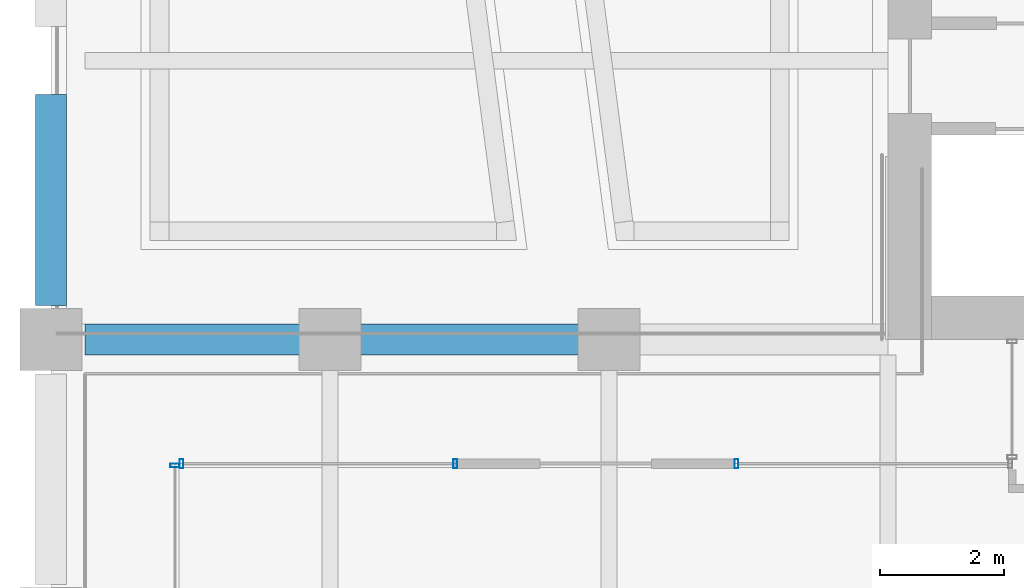
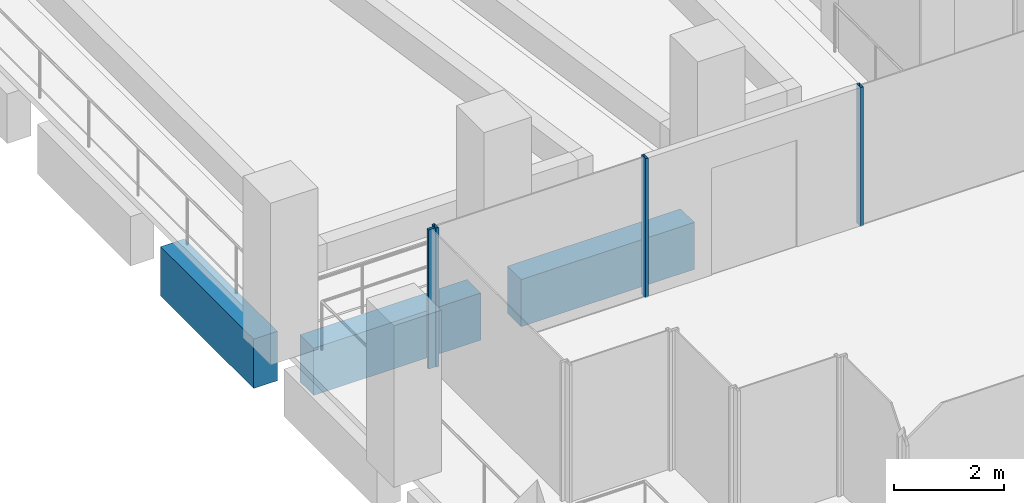
# One storey, part 5 of 52: 4 members, 3 beams, 3 elements without a shape of their own.
"""IFC4 building model written with IfcOpenShell, lengths in metres."""

from ifc_helpers import new_model, si_unit, direction, frame, origin, origin_2d, place, context, subcontext, project, spatial, rectangle, hollow_rectangle, extrude, material, material_profile, profile_set, type_object, element, aggregate, save


model = new_model("IFC4")

# Units and contexts
model_context = context("Model", 3, precision=1e-05, world=origin(), true_north=direction((0.0, 1.0)))
body_context = subcontext(model_context, "Body", "Model", "MODEL_VIEW")
ifc_project = project(units=[si_unit("LENGTHUNIT", "METRE"), si_unit("AREAUNIT", "SQUARE_METRE"), si_unit("VOLUMEUNIT", "CUBIC_METRE"), si_unit("PLANEANGLEUNIT", "RADIAN"), si_unit("MASSUNIT", "GRAM", prefix="KILO")], contexts=[model_context])

# Site, building, storey
site_placement = place(None, origin())
site = spatial("IfcSite", under=ifc_project, at=site_placement, CompositionType="ELEMENT")
building_placement = place(site_placement, origin())
building = spatial("IfcBuilding", under=site, at=building_placement, Name="Altepetl Exchange Towers", CompositionType="ELEMENT")
storey_placement = place(building_placement, frame((0.0, 0.0, 92.0)))
storey = spatial("IfcBuildingStorey", under=building, at=storey_placement, Name="L22", CompositionType="ELEMENT", Elevation=92.0)

# Curtain wall, member
ifc_material_1 = material(Name="Aluminium 6063-T6 glazing", Category="aluminium")
curtain_wall_type = type_object("IfcCurtainWallType", Name="Loggia glazing system", PredefinedType="NOTDEFINED", material=ifc_material_1)
curtain_wall_1_placement = place(storey_placement, origin())
curtain_wall_1 = element("IfcCurtainWall", 1, at=curtain_wall_1_placement, inside=storey, type_object=curtain_wall_type, Name="CW1 run", PredefinedType="NOTDEFINED")
ifc_material_2 = material(Name="Aluminium 6063-T6", Category="aluminium")
ifc_material_profile_1 = material_profile(ifc_material_2, hollow_rectangle(XDim=0.06005859375, YDim=0.14990234375, WallThickness=0.0029296875, at=origin_2d()), Name="Mullion 60x150 aluminium")
ifc_profile_set_1 = profile_set([ifc_material_profile_1], Name="Aluminium 6063-T6")
member_type = type_object("IfcMemberType", Name="Mullion 60x150 aluminium", PredefinedType="MULLION", material=ifc_profile_set_1)
member_1_placement = place(storey_placement, frame((38.054931640625, 38.5, 0.0), z_axis=(0.0, 0.0, 1.0), x_axis=(-1.0, 0.0, 0.0)))
member_1 = element("IfcMember", 2, at=member_1_placement, type_object=member_type, Name="MU1 mullion", PredefinedType="MULLION", context=body_context, shape_type="SweptSolid", body=[
    extrude(hollow_rectangle(XDim=0.06005859375, YDim=0.14990234375, WallThickness=0.0029296875, at=origin_2d()), origin(), (0.0, 0.0, 1.0), 3.10009765625),
])
aggregate(curtain_wall_1, [member_1])

# Curtain wall, members
curtain_wall_2_placement = place(storey_placement, origin())
curtain_wall_2 = element("IfcCurtainWall", 3, at=curtain_wall_2_placement, inside=storey, type_object=curtain_wall_type, Name="CW1 run", PredefinedType="NOTDEFINED")
member_2_placement = place(storey_placement, frame((33.52001953125, 38.5, 0.0), z_axis=(0.0, 0.0, 1.0), x_axis=(-1.0, 0.0, 0.0)))
member_2 = element("IfcMember", 4, at=member_2_placement, type_object=member_type, Name="MU1 mullion", PredefinedType="MULLION", context=body_context, shape_type="SweptSolid", body=[
    extrude(hollow_rectangle(XDim=0.06005859375, YDim=0.14990234375, WallThickness=0.0029296875, at=origin_2d()), origin(), (0.0, 0.0, 1.0), 3.10009765625),
])
member_3_placement = place(storey_placement, frame((29.10498046875, 38.5, 0.0), z_axis=(0.0, 0.0, 1.0), x_axis=(-1.0, 0.0, 0.0)))
member_3 = element("IfcMember", 5, at=member_3_placement, type_object=member_type, Name="MU1 mullion", PredefinedType="MULLION", context=body_context, shape_type="SweptSolid", body=[
    extrude(hollow_rectangle(XDim=0.06005859375, YDim=0.14990234375, WallThickness=0.0029296875, at=origin_2d()), origin(), (0.0, 0.0, 1.0), 3.10009765625),
])
aggregate(curtain_wall_2, [member_2, member_3])

# Curtain wall, member
curtain_wall_3_placement = place(storey_placement, origin())
curtain_wall_3 = element("IfcCurtainWall", 6, at=curtain_wall_3_placement, inside=storey, type_object=curtain_wall_type, Name="CW1 run", PredefinedType="NOTDEFINED")
member_4_placement = place(storey_placement, frame((29.0, 38.469970703125, 0.0), z_axis=(0.0, 0.0, 1.0), x_axis=(0.0, -1.0, 0.0)))
member_4 = element("IfcMember", 7, at=member_4_placement, type_object=member_type, Name="MU1 mullion", PredefinedType="MULLION", context=body_context, shape_type="SweptSolid", body=[
    extrude(hollow_rectangle(XDim=0.06005859375, YDim=0.14990234375, WallThickness=0.0029296875, at=origin_2d()), origin(), (0.0, 0.0, 1.0), 3.10009765625),
])
aggregate(curtain_wall_3, [member_4])

# Beams
ifc_material_3 = material(Name="Concrete C50/60 precast with tezontle facing", Category="concrete")
ifc_material_profile_2 = material_profile(ifc_material_3, rectangle(XDim=0.5, YDim=1.050048828125, at=origin_2d()), Name="500 x 1050")
ifc_profile_set_2 = profile_set([ifc_material_profile_2], Name="Concrete C50/60 precast with tezontle facing")
beam_type_1 = type_object("IfcBeamType", Name="Spandrel beam 500x1050 tezontle", PredefinedType="SPANDREL", material=ifc_profile_set_2)
beam_1_placement = place(storey_placement, frame((35.574951171875, 40.5, -0.675048828125), z_axis=(-1.0, 0.0, 0.0), x_axis=(0.0, -1.0, 0.0)))
element("IfcBeam", 8, at=beam_1_placement, inside=storey, type_object=beam_type_1, Name="sp:A:L22:034", PredefinedType="SPANDREL", context=body_context, shape_type="SweptSolid", body=[
    extrude(rectangle(XDim=0.5, YDim=1.050048828125, at=origin_2d()), origin(), (0.0, 0.0, 1.0), 3.64990234375),
])
beam_2_placement = place(storey_placement, frame((31.074951171875, 40.5, -0.675048828125), z_axis=(-1.0, 0.0, 0.0), x_axis=(0.0, -1.0, 0.0)))
element("IfcBeam", 9, at=beam_2_placement, inside=storey, type_object=beam_type_1, Name="sp:A:L22:035", PredefinedType="SPANDREL", context=body_context, shape_type="SweptSolid", body=[
    extrude(rectangle(XDim=0.5, YDim=1.050048828125, at=origin_2d()), origin(), (0.0, 0.0, 1.0), 3.52490234375),
])
ifc_material_profile_3 = material_profile(ifc_material_3, rectangle(XDim=0.5, YDim=1.10009765625, at=origin_2d()), Name="500 x 1100")
ifc_profile_set_3 = profile_set([ifc_material_profile_3], Name="Concrete C50/60 precast with tezontle facing")
beam_type_2 = type_object("IfcBeamType", Name="Spandrel beam 500x1100 tezontle", PredefinedType="SPANDREL", material=ifc_profile_set_3)
beam_3_placement = place(storey_placement, frame((27.0, 44.449951171875, -0.699951171875), z_axis=(0.0, -1.0, 0.0), x_axis=(1.0, 0.0, 0.0)))
element("IfcBeam", 10, at=beam_3_placement, inside=storey, type_object=beam_type_2, Name="sp:A:L22:t011", PredefinedType="SPANDREL", context=body_context, shape_type="SweptSolid", body=[
    extrude(rectangle(XDim=0.5, YDim=1.10009765625, at=origin_2d()), origin(), (0.0, 0.0, 1.0), 3.39990234375),
])

save(model, "model.ifc")
